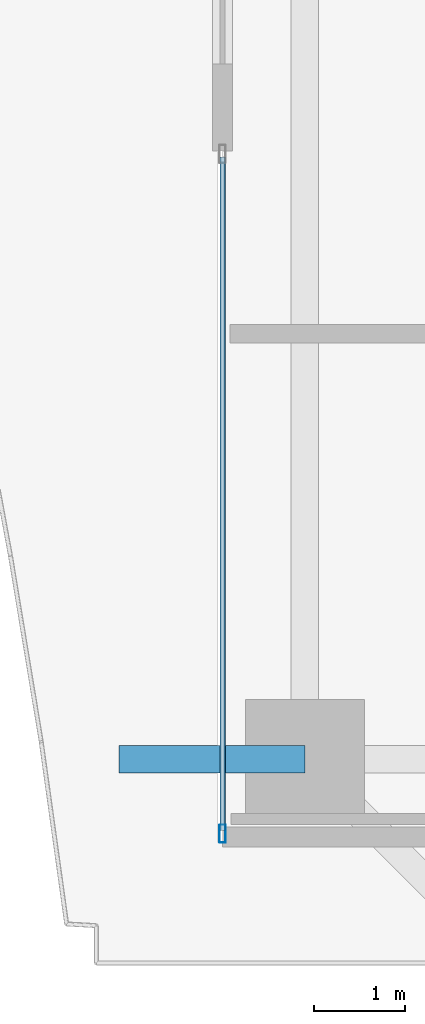
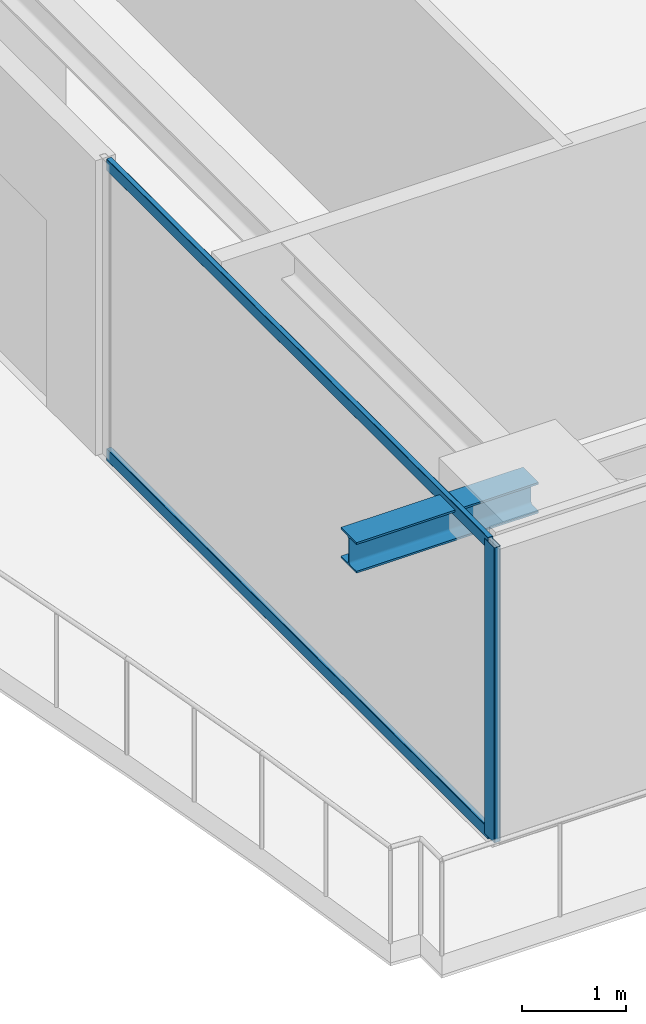
# One storey, part 3 of 35: 3 members, 1 beam, 1 element without a shape of its own.
"""IFC4 building model written with IfcOpenShell, lengths in metres."""

import ifcopenshell
import ifcopenshell.guid

model = None  # the IFC model being written
_history = None  # IfcOwnerHistory: only IFC2X3 demands one
_inside = {}  # id of a spatial element -> (the spatial element, [elements in it])
_under = {}  # id of a project, library or spatial element -> (it, [spatial elements below it])
_declared = {}  # id of a project -> (the project, [libraries it declares])
_typed = {}  # id of a type object -> (the type object, [elements of that type])
_made_of = {}  # id of a material, layer set ... -> (it, [elements and type objects made of it])


def new_model(schema):
    """Start an empty IFC model of exactly this schema.

    Asked for "IFC4X3", IfcOpenShell would pick the latest addendum, in which some entities
    have other attributes; the version numbers below select the first issue.
    IFC2X3 requires an IfcOwnerHistory on every rooted entity: one is made here for all.
    """
    global model, _history
    if schema == "IFC4X3":
        model = ifcopenshell.file(schema_version=(4, 3, 0, 0))
    else:
        model = ifcopenshell.file(schema=schema)
    _inside.clear()
    _under.clear()
    _declared.clear()
    _typed.clear()
    _made_of.clear()
    _history = None
    if model.schema == "IFC2X3":
        org = make("IfcOrganization", Name="unknown")
        user = make(
            "IfcPersonAndOrganization",
            ThePerson=make("IfcPerson", FamilyName="unknown"),
            TheOrganization=org,
        )
        app = make(
            "IfcApplication",
            ApplicationDeveloper=org,
            Version="unknown",
            ApplicationFullName="unknown",
            ApplicationIdentifier="unknown",
        )
        _history = make(
            "IfcOwnerHistory",
            OwningUser=user,
            OwningApplication=app,
            ChangeAction="ADDED",
            CreationDate=0,
        )
    return model


def make(cls, **values):
    """One entity of the class cls with the attributes given. An attribute that is None is left unset."""
    return model.create_entity(
        cls, **{name: value for name, value in values.items() if value is not None}
    )


def rooted(cls, **values):
    """An entity with a GlobalId (a new one), such as an element, a storey or a relation."""
    return make(cls, GlobalId=ifcopenshell.guid.new(), OwnerHistory=_history, **values)


def si_unit(unit_type, name, prefix=None):
    """IfcSIUnit, for example si_unit("LENGTHUNIT", "METRE", prefix="MILLI")."""
    return make("IfcSIUnit", UnitType=unit_type, Prefix=prefix, Name=name)


def assignment(units):
    """IfcUnitAssignment: the units of a project."""
    return None if units is None else make("IfcUnitAssignment", Units=units)


def point(xyz):
    """IfcCartesianPoint."""
    return None if xyz is None else make("IfcCartesianPoint", Coordinates=xyz)


def direction(xyz):
    """IfcDirection."""
    return None if xyz is None else make("IfcDirection", DirectionRatios=xyz)


def frame(location, z_axis=None, x_axis=None):
    """IfcAxis2Placement3D, a coordinate frame: its origin and axes. An axis left out is left unset."""
    return make(
        "IfcAxis2Placement3D",
        Location=point(location),
        Axis=direction(z_axis),
        RefDirection=direction(x_axis),
    )


def frame_2d(location, x_axis=None):
    """IfcAxis2Placement2D, a coordinate frame in the plane: its origin and x axis."""
    return make(
        "IfcAxis2Placement2D", Location=point(location), RefDirection=direction(x_axis)
    )


def origin():
    """The frame at (0, 0, 0) with its axes left unset."""
    return frame((0.0, 0.0, 0.0))


def origin_2d():
    """The frame at (0, 0) in the plane with its x axis left unset."""
    return frame_2d((0.0, 0.0))


def place(relative_to, where):
    """IfcLocalPlacement: puts the frame where relative to a parent placement (None: the world)."""
    return make(
        "IfcLocalPlacement", PlacementRelTo=relative_to, RelativePlacement=where
    )


def context(
    kind, dimensions, precision=None, world=None, true_north=None, identifier=None
):
    """IfcGeometricRepresentationContext, for example the 3D "Model" context."""
    return make(
        "IfcGeometricRepresentationContext",
        ContextIdentifier=identifier,
        ContextType=kind,
        CoordinateSpaceDimension=dimensions,
        Precision=precision,
        WorldCoordinateSystem=world,
        TrueNorth=true_north,
    )


def subcontext(parent, identifier, kind, view, scale=None):
    """IfcGeometricRepresentationSubContext, for example "Body" below "Model"."""
    return make(
        "IfcGeometricRepresentationSubContext",
        ContextIdentifier=identifier,
        ContextType=kind,
        ParentContext=parent,
        TargetScale=scale,
        TargetView=view,
    )


def project(units=None, contexts=None):
    """IfcProject with its units and contexts."""
    return rooted(
        "IfcProject",
        Name="project",
        RepresentationContexts=contexts,
        UnitsInContext=assignment(units),
    )


def spatial(cls, under=None, at=None, **own):
    """A site, building, storey or space (cls), placed at a placement, below another one or the project."""
    s = rooted(cls, ObjectPlacement=at, **own)
    if under is not None:
        _under.setdefault(under.id(), (under, []))[1].append(s)
    return s


def profile(cls, at=None, kind="AREA", **sizes):
    """A parametric profile (cls). Its sizes go by their IFC names, for example OverallWidth=200.0."""
    return make(cls, ProfileType=kind, Position=at, **sizes)


def hollow_rectangle(**sizes):
    """IfcRectangleHollowProfileDef."""
    return profile("IfcRectangleHollowProfileDef", **sizes)


def i_section(**sizes):
    """IfcIShapeProfileDef."""
    return profile("IfcIShapeProfileDef", **sizes)


def extrude(swept, where, along, depth):
    """IfcExtrudedAreaSolid: the profile swept, set in the frame where, extruded along a direction by depth."""
    return make(
        "IfcExtrudedAreaSolid",
        SweptArea=swept,
        Position=where,
        ExtrudedDirection=direction(along),
        Depth=depth,
    )


def shape(context_of_items, identifier, shape_type, items):
    """IfcShapeRepresentation: the items that make up one representation, for example the "Body"."""
    return make(
        "IfcShapeRepresentation",
        ContextOfItems=context_of_items,
        RepresentationIdentifier=identifier,
        RepresentationType=shape_type,
        Items=items,
    )


def source(mapping_origin, context_of_items, identifier, shape_type, items):
    """IfcRepresentationMap: a shape defined once, which mapped items show again and again."""
    return make(
        "IfcRepresentationMap",
        MappingOrigin=mapping_origin,
        MappedRepresentation=shape(context_of_items, identifier, shape_type, items),
    )


def transform(
    local_origin,
    x_axis=None,
    y_axis=None,
    z_axis=None,
    scale=None,
    scale2=None,
    scale3=None,
    uniform=True,
):
    """IfcCartesianTransformationOperator3D, or its non-uniform kind. x_axis, y_axis, z_axis: its Axis1, 2, 3."""
    if uniform:
        return make(
            "IfcCartesianTransformationOperator3D",
            Axis1=direction(x_axis),
            Axis2=direction(y_axis),
            LocalOrigin=point(local_origin),
            Scale=scale,
            Axis3=direction(z_axis),
        )
    return make(
        "IfcCartesianTransformationOperator3DnonUniform",
        Axis1=direction(x_axis),
        Axis2=direction(y_axis),
        LocalOrigin=point(local_origin),
        Scale=scale,
        Axis3=direction(z_axis),
        Scale2=scale2,
        Scale3=scale3,
    )


def mapped(mapping_source, mapping_target):
    """IfcMappedItem: shows the shape of a source again, moved by a transform."""
    return make(
        "IfcMappedItem", MappingSource=mapping_source, MappingTarget=mapping_target
    )


def material(Name=None, Category=None):
    """IfcMaterial."""
    return make("IfcMaterial", Name=Name, Category=Category)


def layer(
    of_material, thickness, ventilated=None, Name=None, Category=None, Priority=None
):
    """IfcMaterialLayer: one layer of a wall or slab, of a material (None: an air gap)."""
    return make(
        "IfcMaterialLayer",
        Material=of_material,
        LayerThickness=thickness,
        IsVentilated=ventilated,
        Name=Name,
        Category=Category,
        Priority=Priority,
    )


def layer_set(layers, Name=None):
    """IfcMaterialLayerSet."""
    return make("IfcMaterialLayerSet", MaterialLayers=layers, LayerSetName=Name)


def material_profile(
    of_material, cross_section, Name=None, Category=None, Priority=None
):
    """IfcMaterialProfile: a cross section and its material."""
    return make(
        "IfcMaterialProfile",
        Name=Name,
        Material=of_material,
        Profile=cross_section,
        Priority=Priority,
        Category=Category,
    )


def profile_set(profiles, Name=None, composite=None):
    """IfcMaterialProfileSet."""
    return make(
        "IfcMaterialProfileSet",
        Name=Name,
        MaterialProfiles=profiles,
        CompositeProfile=composite,
    )


def made_of(thing, what):
    """Note that an element or type object is made of a material, layer set ...; save() writes the relation."""
    if what is not None:
        _made_of.setdefault(what.id(), (what, []))[1].append(thing)
    return thing


def type_object(cls, material=None, **own):
    """A type object (cls), such as IfcWallType, which elements share."""
    return made_of(rooted(cls, **own), material)


def element(
    cls,
    number,
    at=None,
    inside=None,
    cuts=None,
    type_object=None,
    material=None,
    context=None,
    identifier="Body",
    shape_type=None,
    held_by="IfcProductDefinitionShape",
    body=None,
    shapes=None,
    **own,
):
    """One element of the class cls, such as IfcWall. Its Tag is "e" and its number.

    at: its placement. inside: the storey or other place that contains it. cuts: it is an
    opening in that element (IfcRelVoidsElement). A single representation is given by context,
    identifier, shape_type and body (its items); several are given by shapes. held_by: the class
    of the entity that holds the representations. save() writes the other relations.
    """
    e = rooted(cls, Tag="e%d" % number, ObjectPlacement=at, **own)
    if body is not None:
        shapes = [shape(context, identifier, shape_type, body)]
    if shapes is not None:
        e.Representation = make(held_by, Representations=shapes)
    if inside is not None:
        _inside.setdefault(inside.id(), (inside, []))[1].append(e)
    if cuts is not None:
        rooted(
            "IfcRelVoidsElement", RelatingBuildingElement=cuts, RelatedOpeningElement=e
        )
    if type_object is not None:
        _typed.setdefault(type_object.id(), (type_object, []))[1].append(e)
    return made_of(e, material)


def aggregate(whole, parts):
    """IfcRelAggregates: a whole, such as a stair, and the parts it consists of."""
    return rooted("IfcRelAggregates", RelatingObject=whole, RelatedObjects=parts)


def save(model, path):
    """Write the relations noted so far, then the file.

    IfcRelAggregates (storeys below a building ...), IfcRelContainedInSpatialStructure (elements
    in a storey), IfcRelDefinesByType, IfcRelAssociatesMaterial and IfcRelDeclares: one each for
    every whole, place, type object, material and project.
    """
    for whole, parts in _under.values():
        aggregate(whole, parts)
    for where, things in _inside.values():
        rooted(
            "IfcRelContainedInSpatialStructure",
            RelatedElements=things,
            RelatingStructure=where,
        )
    for kind, things in _typed.values():
        rooted("IfcRelDefinesByType", RelatedObjects=things, RelatingType=kind)
    for what, things in _made_of.values():
        rooted("IfcRelAssociatesMaterial", RelatedObjects=things, RelatingMaterial=what)
    for by, libraries in _declared.values():
        rooted("IfcRelDeclares", RelatingContext=by, RelatedDefinitions=libraries)
    model.write(path)


model = new_model("IFC4")

# Units and contexts
model_context = context("Model", 3, precision=1e-05, world=origin(), true_north=direction((0.0, 1.0)))
body_context = subcontext(model_context, "Body", "Model", "MODEL_VIEW")
ifc_project = project(units=[si_unit("LENGTHUNIT", "METRE"), si_unit("AREAUNIT", "SQUARE_METRE"), si_unit("VOLUMEUNIT", "CUBIC_METRE"), si_unit("PLANEANGLEUNIT", "RADIAN"), si_unit("MASSUNIT", "GRAM", prefix="KILO")], contexts=[model_context])

# Site, building, storey
site_placement = place(None, origin())
site = spatial("IfcSite", under=ifc_project, at=site_placement, CompositionType="ELEMENT")
building_placement = place(site_placement, origin())
building = spatial("IfcBuilding", under=site, at=building_placement, Name="Serunith Strait Residences", CompositionType="ELEMENT")
storey_placement = place(building_placement, frame((0.0, 0.0, 157.64990234375)))
storey = spatial("IfcBuildingStorey", under=building, at=storey_placement, Name="L39", CompositionType="ELEMENT", Elevation=157.64990234375)

# Beam
ifc_material_1 = material(Name="Steel S355J2", Category="steel")
ifc_material_profile_1 = material_profile(ifc_material_1, i_section(OverallWidth=0.300048828125, OverallDepth=0.360107421875, WebThickness=0.012451171875, FlangeThickness=0.0224609375, FilletRadius=0.027099609375, at=origin_2d()), Name="HEB 360")
ifc_profile_set_1 = profile_set([ifc_material_profile_1], Name="Steel S355J2")
beam_type = type_object("IfcBeamType", Name="BM-HEB360", PredefinedType="BEAM", material=ifc_profile_set_1)
shared_shape_1 = source(origin(), body_context, "Body", "SweptSolid", [
    extrude(i_section(OverallWidth=0.300048828125, OverallDepth=0.360107421875, WebThickness=0.012451171875, FlangeThickness=0.0224609375, FilletRadius=0.027099609375, at=origin_2d()), origin(), (0.0, 0.0, 1.0), 2.030029296875),
])
beam_placement = place(storey_placement, frame((8.699951171875, 10.25, 3.277099609375), z_axis=(-1.0, 0.0, 0.0), x_axis=(0.0, -1.0, 0.0)))
element("IfcBeam", 1, at=beam_placement, inside=storey, type_object=beam_type, Name="L40 Cantilevered Balcony Rib TC-W1", PredefinedType="BEAM", context=body_context, shape_type="MappedRepresentation", body=[
    mapped(shared_shape_1, transform((0.0, 0.0, 0.0), scale=1.0)),
])

# Curtain wall, members
ifc_material_2 = material(Name="Pale-Champagne Anodised Aluminium", Category="aluminium")
ifc_layer = layer(ifc_material_2, 0.199951171875, Name="Pale-Champagne Anodised Aluminium")
ifc_layer_set = layer_set([ifc_layer], Name="Pale-Champagne Anodised Aluminium")
curtain_wall_type = type_object("IfcCurtainWallType", Name="CW-SYS2", PredefinedType="NOTDEFINED", material=ifc_layer_set)
curtain_wall_placement = place(storey_placement, origin())
curtain_wall = element("IfcCurtainWall", 2, at=curtain_wall_placement, inside=storey, type_object=curtain_wall_type, Name="L39 W Unitised Fritted Curtain Wall", PredefinedType="NOTDEFINED")
ifc_material_profile_2 = material_profile(ifc_material_2, hollow_rectangle(XDim=0.070068359375, YDim=0.199951171875, WallThickness=0.00390625, InnerFilletRadius=0.006103515625, OuterFilletRadius=0.010009765625, at=origin_2d()), Name="ALU 200x70x4")
ifc_profile_set_2 = profile_set([ifc_material_profile_2], Name="Pale-Champagne Anodised Aluminium")
member_type_1 = type_object("IfcMemberType", Name="CW-SYS2-MULL", PredefinedType="MULLION", material=ifc_profile_set_2)
shared_shape_2 = source(origin(), body_context, "Body", "SweptSolid", [
    extrude(hollow_rectangle(XDim=0.070068359375, YDim=0.199951171875, WallThickness=0.00390625, InnerFilletRadius=0.006103515625, OuterFilletRadius=0.010009765625, at=origin_2d()), origin(), (0.0, 0.0, 1.0), 3.47509765625),
])
member_1_placement = place(storey_placement, frame((7.800048828125, 9.43505859375, 0.0), z_axis=(0.0, 0.0, 1.0), x_axis=(1.0, 0.0, 0.0)))
member_1 = element("IfcMember", 3, at=member_1_placement, type_object=member_type_1, Name="CW-2 mullion 2", PredefinedType="MULLION", context=body_context, shape_type="MappedRepresentation", body=[
    mapped(shared_shape_2, transform((0.0, 0.0, 0.0), scale=1.0)),
])
ifc_material_profile_3 = material_profile(ifc_material_2, hollow_rectangle(XDim=0.06005859375, YDim=0.139892578125, WallThickness=0.00341796875, InnerFilletRadius=0.00537109375, OuterFilletRadius=0.0087890625, at=origin_2d()), Name="ALU 140x60x3.5")
ifc_profile_set_3 = profile_set([ifc_material_profile_3], Name="Pale-Champagne Anodised Aluminium")
member_type_2 = type_object("IfcMemberType", Name="CW-SYS2-TRAN", PredefinedType="USERDEFINED", material=ifc_profile_set_3)
shared_shape_3 = source(origin(), body_context, "Body", "SweptSolid", [
    extrude(hollow_rectangle(XDim=0.06005859375, YDim=0.139892578125, WallThickness=0.00341796875, InnerFilletRadius=0.00537109375, OuterFilletRadius=0.0087890625, at=origin_2d()), origin(), (0.0, 0.0, 1.0), 7.360107421875),
])
member_2_placement = place(storey_placement, frame((7.800048828125, 16.830078125, 0.030029296875), z_axis=(0.0, -1.0, 0.0), x_axis=(1.0, 0.0, 0.0)))
member_2 = element("IfcMember", 4, at=member_2_placement, type_object=member_type_2, Name="CW-2 transom 1.1", ObjectType="TRANSOM", PredefinedType="USERDEFINED", context=body_context, shape_type="MappedRepresentation", body=[
    mapped(shared_shape_3, transform((0.0, 0.0, 0.0), scale=1.0)),
])
member_3_placement = place(storey_placement, frame((7.800048828125, 16.830078125, 3.445068359375), z_axis=(0.0, -1.0, 0.0), x_axis=(1.0, 0.0, 0.0)))
member_3 = element("IfcMember", 5, at=member_3_placement, type_object=member_type_2, Name="CW-2 transom 1.2", ObjectType="TRANSOM", PredefinedType="USERDEFINED", context=body_context, shape_type="MappedRepresentation", body=[
    mapped(shared_shape_3, transform((0.0, 0.0, 0.0), scale=1.0)),
])
aggregate(curtain_wall, [member_1, member_2, member_3])

save(model, "model.ifc")
